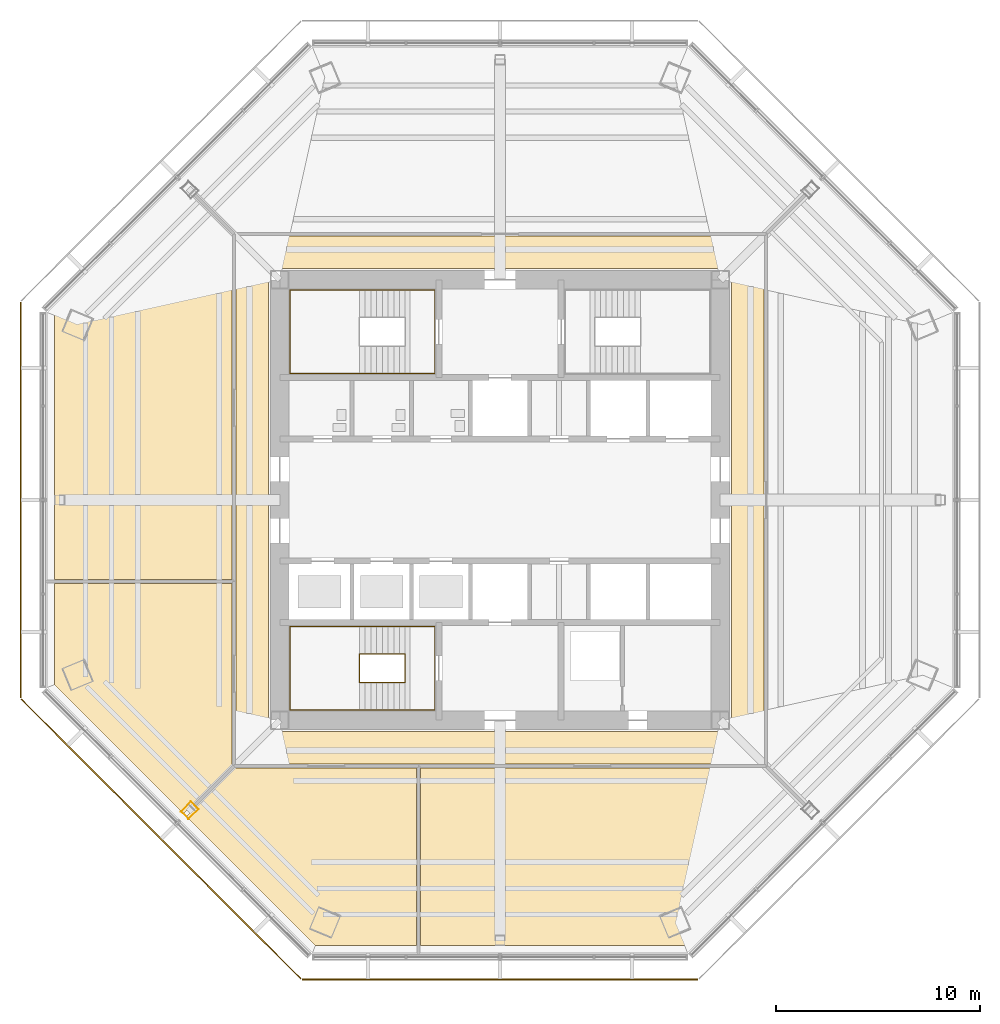
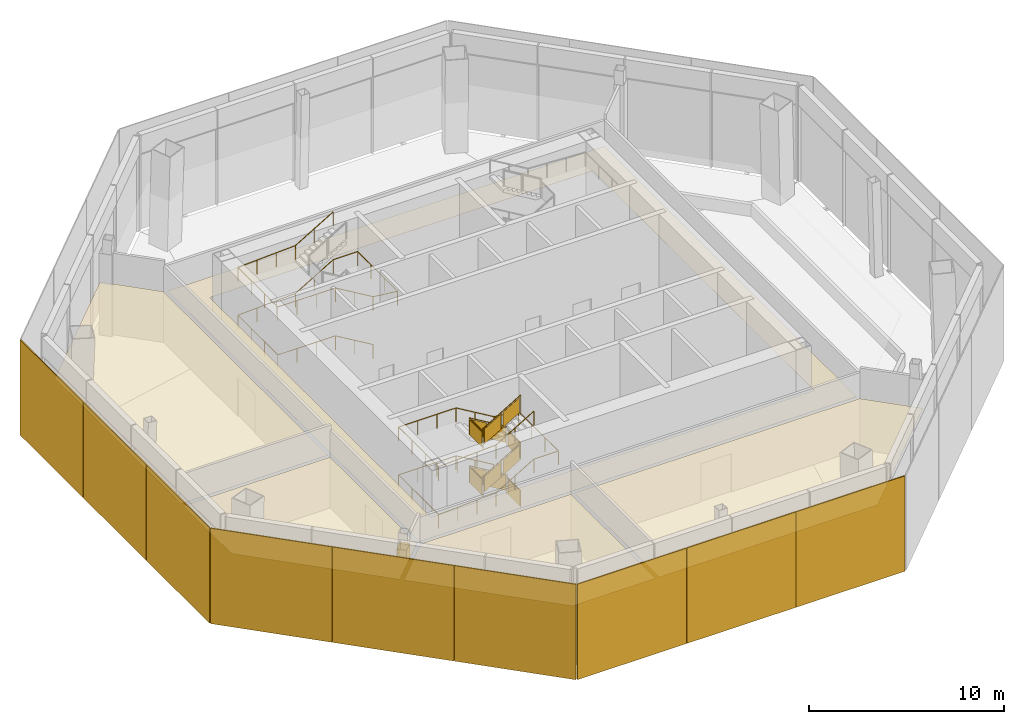
# One storey, part 9 of 13: 9 shading devices, 6 coverings, 3 railings.
"""IFC4 building model written with IfcOpenShell, lengths in metres."""

from ifc_helpers import new_model, si_unit, direction, frame, origin, origin_2d, place, context, subcontext, project, spatial, polyline, rectangle, circle, outline, extrude, source, transform, mapped, material, layer, layer_set, type_object, type_shapes, element, save


model = new_model("IFC4")

# Units and contexts
model_context = context("Model", 3, precision=1e-05, world=origin(), true_north=direction((0.0, 1.0)))
body_context = subcontext(model_context, "Body", "Model", "MODEL_VIEW")
ifc_project = project(units=[si_unit("LENGTHUNIT", "METRE"), si_unit("AREAUNIT", "SQUARE_METRE"), si_unit("VOLUMEUNIT", "CUBIC_METRE"), si_unit("PLANEANGLEUNIT", "RADIAN"), si_unit("MASSUNIT", "GRAM", prefix="KILO")], contexts=[model_context])

# Site, building, storey
site_placement = place(None, origin())
site = spatial("IfcSite", under=ifc_project, at=site_placement, CompositionType="ELEMENT")
building_placement = place(site_placement, origin())
building = spatial("IfcBuilding", under=site, at=building_placement, Name="Mashrafa Tower", CompositionType="ELEMENT")
storey_placement = place(building_placement, frame((0.0, 0.0, 198.0)))
storey = spatial("IfcBuildingStorey", under=building, at=storey_placement, Name="L45", CompositionType="ELEMENT", Elevation=198.0)

# Covering
ifc_material_1 = material(Name="Gypsum board")
ifc_layer_1 = layer(ifc_material_1, 0.014892578125)
ifc_layer_set_1 = layer_set([ifc_layer_1], Name="Column casing plasterboard 15")
covering_type_1 = type_object("IfcCoveringType", Name="Column casing plasterboard 15", PredefinedType="CLADDING", material=ifc_layer_set_1)
covering_1_placement = place(storey_placement, origin())
element("IfcCovering", 1, at=covering_1_placement, inside=storey, type_object=covering_type_1, Name="Column casing L45-003", PredefinedType="CLADDING", context=body_context, shape_type="SweptSolid", body=[
    extrude(outline(polyline([(-15.657958984375, -15.283203125), (-15.1630859375, -14.788330078125), (-14.788330078125, -15.1630859375), (-15.283203125, -15.657958984375), (-15.657958984375, -15.283203125)]), holes=[polyline([(-14.8095703125, -15.1630859375), (-15.1630859375, -14.8095703125), (-15.63671875, -15.283203125), (-15.283203125, -15.63671875), (-14.8095703125, -15.1630859375)])]), origin(), (0.0, 0.0, 1.0), 5.11181640625),
])

# Railings
ifc_material_2 = material(Name="Steel guard with glass infill", Category="steel")
railing_type_1 = type_object("IfcRailingType", Name="Stair guard 1100", PredefinedType="GUARDRAIL", material=ifc_material_2)
railing_1_placement = place(storey_placement, frame((-4.64990234375, -8.949951171875, 0.0)))
element("IfcRailing", 2, at=railing_1_placement, inside=storey, type_object=railing_type_1, Name="Stair S3 guard L45", PredefinedType="GUARDRAIL", context=body_context, shape_type="SweptSolid", body=[
    extrude(circle(Radius=0.02392578125, at=origin_2d()), frame((0.0, 0.0, 1.076171875), z_axis=(0.0, 1.0, 0.0), x_axis=(-1.0, 0.0, 0.0)), (0.0, 0.0, 1.0), 1.39990234375),
    extrude(circle(Radius=0.02392578125, at=origin_2d()), frame((0.0, 1.39990234375, 1.076171875), z_axis=(0.0, 0.0, 1.0), x_axis=(1.0, 0.0, 0.0)), (0.0, 0.0, 1.0), 0.166748046875),
    extrude(circle(Radius=0.02392578125, at=origin_2d()), frame((0.0, 1.39990234375, 1.24267578125), z_axis=(-0.859305625298, 0.0, 0.511462454469), x_axis=(0.0, -1.0, 0.0)), (0.0, 0.0, 1.0), 2.606689453125),
    extrude(circle(Radius=0.02392578125, at=origin_2d()), frame((-2.239990234375, 1.39990234375, 2.576171875), z_axis=(0.0, -1.0, 0.0), x_axis=(1.0, 0.0, 0.0)), (0.0, 0.0, 1.0), 1.39990234375),
    extrude(circle(Radius=0.02392578125, at=origin_2d()), frame((-2.239990234375, 0.0, 2.576171875), z_axis=(0.0, 0.0, 1.0), x_axis=(1.0, 0.0, 0.0)), (0.0, 0.0, 1.0), 0.166748046875),
    extrude(circle(Radius=0.02392578125, at=origin_2d()), frame((-2.239990234375, 0.0, 2.74267578125), z_axis=(0.859305625298, 0.0, 0.511462454469), x_axis=(0.0, 1.0, 0.0)), (0.0, 0.0, 1.0), 2.606689453125),
    extrude(circle(Radius=0.02392578125, at=origin_2d()), frame((0.0, 0.0, 4.076171875), z_axis=(0.0, 1.0, 0.0), x_axis=(-1.0, 0.0, 0.0)), (0.0, 0.0, 1.0), 1.39990234375),
    extrude(circle(Radius=0.02392578125, at=origin_2d()), frame((0.0, 1.39990234375, 4.076171875), z_axis=(0.0, 0.0, 1.0), x_axis=(1.0, 0.0, 0.0)), (0.0, 0.0, 1.0), 0.166748046875),
    extrude(circle(Radius=0.02392578125, at=origin_2d()), frame((0.0, 1.39990234375, 4.24267578125), z_axis=(-0.859305625298, 0.0, 0.511462454469), x_axis=(0.0, -1.0, 0.0)), (0.0, 0.0, 1.0), 2.606689453125),
    extrude(circle(Radius=0.02392578125, at=origin_2d()), frame((-2.239990234375, 1.39990234375, 5.576171875), z_axis=(0.0, -1.0, 0.0), x_axis=(1.0, 0.0, 0.0)), (0.0, 0.0, 1.0), 1.39990234375),
    extrude(circle(Radius=0.02392578125, at=origin_2d()), frame((-2.239990234375, 0.0, 5.576171875), z_axis=(0.0, 0.0, 1.0), x_axis=(1.0, 0.0, 0.0)), (0.0, 0.0, 1.0), 0.166748046875),
    extrude(circle(Radius=0.02392578125, at=origin_2d()), frame((-2.239990234375, 0.0, 5.74267578125), z_axis=(0.859305625298, 0.0, 0.511462454469), x_axis=(0.0, 1.0, 0.0)), (0.0, 0.0, 1.0), 2.606689453125),
    extrude(circle(Radius=0.02099609375, at=origin_2d()), origin(), (0.0, 0.0, 1.0), 1.052001953125),
    extrude(circle(Radius=0.02099609375, at=origin_2d()), frame((0.0, 1.39990234375, 0.0)), (0.0, 0.0, 1.0), 1.052001953125),
    extrude(circle(Radius=0.02099609375, at=origin_2d()), frame((0.0, 1.39990234375, 0.166748046875)), (0.0, 0.0, 1.0), 1.052001953125),
    extrude(circle(Radius=0.02099609375, at=origin_2d()), frame((-1.1201171875, 1.39990234375, 0.83349609375)), (0.0, 0.0, 1.0), 1.052001953125),
    extrude(circle(Radius=0.02099609375, at=origin_2d()), frame((-2.239990234375, 1.39990234375, 1.5)), (0.0, 0.0, 1.0), 1.052001953125),
    extrude(circle(Radius=0.02099609375, at=origin_2d()), frame((-2.239990234375, 0.0, 1.5)), (0.0, 0.0, 1.0), 1.052001953125),
    extrude(circle(Radius=0.02099609375, at=origin_2d()), frame((-2.239990234375, 0.0, 1.666748046875)), (0.0, 0.0, 1.0), 1.052001953125),
    extrude(circle(Radius=0.02099609375, at=origin_2d()), frame((-1.1201171875, 0.0, 2.33349609375)), (0.0, 0.0, 1.0), 1.052001953125),
    extrude(circle(Radius=0.02099609375, at=origin_2d()), frame((0.0, 0.0, 3.0)), (0.0, 0.0, 1.0), 1.052001953125),
    extrude(circle(Radius=0.02099609375, at=origin_2d()), frame((0.0, 1.39990234375, 3.0)), (0.0, 0.0, 1.0), 1.052001953125),
    extrude(circle(Radius=0.02099609375, at=origin_2d()), frame((0.0, 1.39990234375, 3.166748046875)), (0.0, 0.0, 1.0), 1.052001953125),
    extrude(circle(Radius=0.02099609375, at=origin_2d()), frame((-1.1201171875, 1.39990234375, 3.83349609375)), (0.0, 0.0, 1.0), 1.052001953125),
    extrude(circle(Radius=0.02099609375, at=origin_2d()), frame((-2.239990234375, 1.39990234375, 4.5)), (0.0, 0.0, 1.0), 1.052001953125),
    extrude(circle(Radius=0.02099609375, at=origin_2d()), frame((-2.239990234375, 0.0, 4.5)), (0.0, 0.0, 1.0), 1.052001953125),
    extrude(circle(Radius=0.02099609375, at=origin_2d()), frame((-2.239990234375, 0.0, 4.666748046875)), (0.0, 0.0, 1.0), 1.052001953125),
    extrude(circle(Radius=0.02099609375, at=origin_2d()), frame((-1.1201171875, 0.0, 5.33349609375)), (0.0, 0.0, 1.0), 1.052001953125),
    extrude(circle(Radius=0.02099609375, at=origin_2d()), frame((0.0, 0.0, 6.0)), (0.0, 0.0, 1.0), 1.052001953125),
    extrude(outline(polyline([(0.071044921875, 0.050048828125), (1.328857421875, 0.050048828125), (1.328857421875, 1.001953125), (0.071044921875, 1.001953125), (0.071044921875, 0.050048828125)])), frame((0.006103515625, 0.0, 0.0), z_axis=(1.0, 0.0, 0.0), x_axis=(0.0, 1.0, 0.0)), (0.0, 0.0, 1.0), 0.011962890625),
    extrude(outline(polyline([(0.071044921875, 0.09228515625), (1.049072265625, 0.67431640625), (1.049072265625, 1.62646484375), (0.071044921875, 1.044189453125), (0.071044921875, 0.09228515625)])), frame((0.0, 1.406005859375, 0.166748046875), z_axis=(0.0, 1.0, 0.0), x_axis=(-1.0, 0.0, 0.0)), (0.0, 0.0, 1.0), 0.011962890625),
    extrude(outline(polyline([(1.19091796875, 0.7587890625), (2.1689453125, 1.341064453125), (2.1689453125, 2.29296875), (1.19091796875, 1.7109375), (1.19091796875, 0.7587890625)])), frame((0.0, 1.406005859375, 0.166748046875), z_axis=(0.0, 1.0, 0.0), x_axis=(-1.0, 0.0, 0.0)), (0.0, 0.0, 1.0), 0.011962890625),
    extrude(outline(polyline([(0.071044921875, 0.050048828125), (1.328857421875, 0.050048828125), (1.328857421875, 1.001953125), (0.071044921875, 1.001953125), (0.071044921875, 0.050048828125)])), frame((-2.24609375, 1.39990234375, 1.5), z_axis=(-1.0, 0.0, 0.0), x_axis=(0.0, -1.0, 0.0)), (0.0, 0.0, 1.0), 0.011962890625),
    extrude(outline(polyline([(0.071044921875, 0.09228515625), (1.049072265625, 0.67431640625), (1.049072265625, 1.62646484375), (0.071044921875, 1.044189453125), (0.071044921875, 0.09228515625)])), frame((-2.239990234375, -0.006103515625, 1.666748046875), z_axis=(0.0, -1.0, 0.0), x_axis=(1.0, 0.0, 0.0)), (0.0, 0.0, 1.0), 0.011962890625),
    extrude(outline(polyline([(1.19091796875, 0.7587890625), (2.1689453125, 1.341064453125), (2.1689453125, 2.29296875), (1.19091796875, 1.7109375), (1.19091796875, 0.7587890625)])), frame((-2.239990234375, -0.006103515625, 1.666748046875), z_axis=(0.0, -1.0, 0.0), x_axis=(1.0, 0.0, 0.0)), (0.0, 0.0, 1.0), 0.011962890625),
    extrude(outline(polyline([(0.071044921875, 0.050048828125), (1.328857421875, 0.050048828125), (1.328857421875, 1.001953125), (0.071044921875, 1.001953125), (0.071044921875, 0.050048828125)])), frame((0.006103515625, 0.0, 3.0), z_axis=(1.0, 0.0, 0.0), x_axis=(0.0, 1.0, 0.0)), (0.0, 0.0, 1.0), 0.011962890625),
    extrude(outline(polyline([(0.071044921875, 0.09228515625), (1.049072265625, 0.67431640625), (1.049072265625, 1.62646484375), (0.071044921875, 1.044189453125), (0.071044921875, 0.09228515625)])), frame((0.0, 1.406005859375, 3.166748046875), z_axis=(0.0, 1.0, 0.0), x_axis=(-1.0, 0.0, 0.0)), (0.0, 0.0, 1.0), 0.011962890625),
    extrude(outline(polyline([(1.19091796875, 0.7587890625), (2.1689453125, 1.341064453125), (2.1689453125, 2.29296875), (1.19091796875, 1.7109375), (1.19091796875, 0.7587890625)])), frame((0.0, 1.406005859375, 3.166748046875), z_axis=(0.0, 1.0, 0.0), x_axis=(-1.0, 0.0, 0.0)), (0.0, 0.0, 1.0), 0.011962890625),
    extrude(outline(polyline([(0.071044921875, 0.050048828125), (1.328857421875, 0.050048828125), (1.328857421875, 1.001953125), (0.071044921875, 1.001953125), (0.071044921875, 0.050048828125)])), frame((-2.24609375, 1.39990234375, 4.5), z_axis=(-1.0, 0.0, 0.0), x_axis=(0.0, -1.0, 0.0)), (0.0, 0.0, 1.0), 0.011962890625),
    extrude(outline(polyline([(0.071044921875, 0.09228515625), (1.049072265625, 0.67431640625), (1.049072265625, 1.62646484375), (0.071044921875, 1.044189453125), (0.071044921875, 0.09228515625)])), frame((-2.239990234375, -0.006103515625, 4.666748046875), z_axis=(0.0, -1.0, 0.0), x_axis=(1.0, 0.0, 0.0)), (0.0, 0.0, 1.0), 0.011962890625),
    extrude(outline(polyline([(1.19091796875, 0.7587890625), (2.1689453125, 1.341064453125), (2.1689453125, 2.29296875), (1.19091796875, 1.7109375), (1.19091796875, 0.7587890625)])), frame((-2.239990234375, -0.006103515625, 4.666748046875), z_axis=(0.0, -1.0, 0.0), x_axis=(1.0, 0.0, 0.0)), (0.0, 0.0, 1.0), 0.011962890625),
])
ifc_material_3 = material(Name="Steel", Category="steel")
railing_type_2 = type_object("IfcRailingType", Name="Stair handrail 900", PredefinedType="HANDRAIL", material=ifc_material_3)
railing_2_placement = place(storey_placement, frame((-4.64990234375, 6.199951171875, 0.166748046875)))
element("IfcRailing", 3, at=railing_2_placement, inside=storey, type_object=railing_type_2, Name="Stair S1 handrail L45", PredefinedType="HANDRAIL", context=body_context, shape_type="SweptSolid", body=[
    extrude(circle(Radius=0.02392578125, at=origin_2d()), frame((0.0, 0.0, 0.8759765625), z_axis=(-0.859305625298, 0.0, 0.511462454469), x_axis=(0.0, -1.0, 0.0)), (0.0, 0.0, 1.0), 2.606689453125),
    extrude(circle(Radius=0.02392578125, at=origin_2d()), frame((-2.239990234375, 0.0, 2.208984375), z_axis=(-1.0, 0.0, 0.0), x_axis=(0.0, -1.0, 0.0)), (0.0, 0.0, 1.0), 3.41015625),
    extrude(circle(Radius=0.02392578125, at=origin_2d()), frame((-5.650146484375, 0.0, 2.208984375), z_axis=(0.0, 1.0, 0.0), x_axis=(-1.0, 0.0, 0.0)), (0.0, 0.0, 1.0), 4.10009765625),
    extrude(circle(Radius=0.02392578125, at=origin_2d()), frame((-5.650146484375, 4.10009765625, 2.208984375), z_axis=(0.99880665773, 0.0, 0.048839128524), x_axis=(0.0, 1.0, 0.0)), (0.0, 0.0, 1.0), 3.414306640625),
    extrude(circle(Radius=0.02392578125, at=origin_2d()), frame((-2.239990234375, 4.10009765625, 2.3759765625), z_axis=(0.859305625298, 0.0, 0.511462454469), x_axis=(0.0, 1.0, 0.0)), (0.0, 0.0, 1.0), 2.606689453125),
    extrude(circle(Radius=0.02392578125, at=origin_2d()), frame((0.0, 4.10009765625, 3.708984375), z_axis=(1.0, 0.0, 0.0), x_axis=(0.0, 1.0, 0.0)), (0.0, 0.0, 1.0), 1.449951171875),
    extrude(circle(Radius=0.02392578125, at=origin_2d()), frame((1.449951171875, 4.10009765625, 3.708984375), z_axis=(0.0, -1.0, 0.0), x_axis=(1.0, 0.0, 0.0)), (0.0, 0.0, 1.0), 4.10009765625),
    extrude(circle(Radius=0.02392578125, at=origin_2d()), frame((1.449951171875, 0.0, 3.708984375), z_axis=(-0.993452088381, 0.0, 0.114249499304), x_axis=(0.0, -1.0, 0.0)), (0.0, 0.0, 1.0), 1.45947265625),
    extrude(circle(Radius=0.02392578125, at=origin_2d()), frame((0.0, 0.0, 3.8759765625), z_axis=(-0.859305625298, 0.0, 0.511462454469), x_axis=(0.0, -1.0, 0.0)), (0.0, 0.0, 1.0), 2.606689453125),
    extrude(circle(Radius=0.02392578125, at=origin_2d()), frame((-2.239990234375, 0.0, 5.208984375), z_axis=(-1.0, 0.0, 0.0), x_axis=(0.0, -1.0, 0.0)), (0.0, 0.0, 1.0), 3.41015625),
    extrude(circle(Radius=0.02392578125, at=origin_2d()), frame((-5.650146484375, 0.0, 5.208984375), z_axis=(0.0, 1.0, 0.0), x_axis=(-1.0, 0.0, 0.0)), (0.0, 0.0, 1.0), 4.10009765625),
    extrude(circle(Radius=0.02392578125, at=origin_2d()), frame((-5.650146484375, 4.10009765625, 5.208984375), z_axis=(0.99880665773, 0.0, 0.048839128524), x_axis=(0.0, 1.0, 0.0)), (0.0, 0.0, 1.0), 3.414306640625),
    extrude(circle(Radius=0.02392578125, at=origin_2d()), frame((-2.239990234375, 4.10009765625, 5.3759765625), z_axis=(0.859305625298, 0.0, 0.511462454469), x_axis=(0.0, 1.0, 0.0)), (0.0, 0.0, 1.0), 2.606689453125),
    extrude(circle(Radius=0.02099609375, at=origin_2d()), origin(), (0.0, 0.0, 1.0), 0.851806640625),
    extrude(circle(Radius=0.02099609375, at=origin_2d()), frame((-1.1201171875, 0.0, 0.66650390625)), (0.0, 0.0, 1.0), 0.851806640625),
    extrude(circle(Radius=0.02099609375, at=origin_2d()), frame((-2.239990234375, 0.0, 1.333251953125)), (0.0, 0.0, 1.0), 0.851806640625),
    extrude(circle(Radius=0.02099609375, at=origin_2d()), frame((-3.376708984375, 0.0, 1.333251953125)), (0.0, 0.0, 1.0), 0.851806640625),
    extrude(circle(Radius=0.02099609375, at=origin_2d()), frame((-4.513427734375, 0.0, 1.333251953125)), (0.0, 0.0, 1.0), 0.851806640625),
    extrude(circle(Radius=0.02099609375, at=origin_2d()), frame((-5.650146484375, 0.0, 1.333251953125)), (0.0, 0.0, 1.0), 0.851806640625),
    extrude(circle(Radius=0.02099609375, at=origin_2d()), frame((-5.650146484375, 1.36669921875, 1.333251953125)), (0.0, 0.0, 1.0), 0.851806640625),
    extrude(circle(Radius=0.02099609375, at=origin_2d()), frame((-5.650146484375, 2.7333984375, 1.333251953125)), (0.0, 0.0, 1.0), 0.851806640625),
    extrude(circle(Radius=0.02099609375, at=origin_2d()), frame((-5.650146484375, 4.10009765625, 1.333251953125)), (0.0, 0.0, 1.0), 0.851806640625),
    extrude(circle(Radius=0.02099609375, at=origin_2d()), frame((-4.513427734375, 4.10009765625, 1.388916015625)), (0.0, 0.0, 1.0), 0.851806640625),
    extrude(circle(Radius=0.02099609375, at=origin_2d()), frame((-3.376708984375, 4.10009765625, 1.4443359375)), (0.0, 0.0, 1.0), 0.851806640625),
    extrude(circle(Radius=0.02099609375, at=origin_2d()), frame((-2.239990234375, 4.10009765625, 1.5)), (0.0, 0.0, 1.0), 0.851806640625),
    extrude(circle(Radius=0.02099609375, at=origin_2d()), frame((-1.1201171875, 4.10009765625, 2.16650390625)), (0.0, 0.0, 1.0), 0.851806640625),
    extrude(circle(Radius=0.02099609375, at=origin_2d()), frame((0.0, 4.10009765625, 2.833251953125)), (0.0, 0.0, 1.0), 0.851806640625),
    extrude(circle(Radius=0.02099609375, at=origin_2d()), frame((1.449951171875, 4.10009765625, 2.833251953125)), (0.0, 0.0, 1.0), 0.851806640625),
    extrude(circle(Radius=0.02099609375, at=origin_2d()), frame((1.449951171875, 2.7333984375, 2.833251953125)), (0.0, 0.0, 1.0), 0.851806640625),
    extrude(circle(Radius=0.02099609375, at=origin_2d()), frame((1.449951171875, 1.36669921875, 2.833251953125)), (0.0, 0.0, 1.0), 0.851806640625),
    extrude(circle(Radius=0.02099609375, at=origin_2d()), frame((1.449951171875, 0.0, 2.833251953125)), (0.0, 0.0, 1.0), 0.851806640625),
    extrude(circle(Radius=0.02099609375, at=origin_2d()), frame((0.0, 0.0, 3.0)), (0.0, 0.0, 1.0), 0.851806640625),
    extrude(circle(Radius=0.02099609375, at=origin_2d()), frame((-1.1201171875, 0.0, 3.66650390625)), (0.0, 0.0, 1.0), 0.851806640625),
    extrude(circle(Radius=0.02099609375, at=origin_2d()), frame((-2.239990234375, 0.0, 4.333251953125)), (0.0, 0.0, 1.0), 0.851806640625),
    extrude(circle(Radius=0.02099609375, at=origin_2d()), frame((-3.376708984375, 0.0, 4.333251953125)), (0.0, 0.0, 1.0), 0.851806640625),
    extrude(circle(Radius=0.02099609375, at=origin_2d()), frame((-4.513427734375, 0.0, 4.333251953125)), (0.0, 0.0, 1.0), 0.851806640625),
    extrude(circle(Radius=0.02099609375, at=origin_2d()), frame((-5.650146484375, 0.0, 4.333251953125)), (0.0, 0.0, 1.0), 0.851806640625),
    extrude(circle(Radius=0.02099609375, at=origin_2d()), frame((-5.650146484375, 1.36669921875, 4.333251953125)), (0.0, 0.0, 1.0), 0.851806640625),
    extrude(circle(Radius=0.02099609375, at=origin_2d()), frame((-5.650146484375, 2.7333984375, 4.333251953125)), (0.0, 0.0, 1.0), 0.851806640625),
    extrude(circle(Radius=0.02099609375, at=origin_2d()), frame((-5.650146484375, 4.10009765625, 4.333251953125)), (0.0, 0.0, 1.0), 0.851806640625),
    extrude(circle(Radius=0.02099609375, at=origin_2d()), frame((-4.513427734375, 4.10009765625, 4.388916015625)), (0.0, 0.0, 1.0), 0.851806640625),
    extrude(circle(Radius=0.02099609375, at=origin_2d()), frame((-3.376708984375, 4.10009765625, 4.4443359375)), (0.0, 0.0, 1.0), 0.851806640625),
    extrude(circle(Radius=0.02099609375, at=origin_2d()), frame((-2.239990234375, 4.10009765625, 4.5)), (0.0, 0.0, 1.0), 0.851806640625),
    extrude(circle(Radius=0.02099609375, at=origin_2d()), frame((-1.1201171875, 4.10009765625, 5.16650390625)), (0.0, 0.0, 1.0), 0.851806640625),
    extrude(circle(Radius=0.02099609375, at=origin_2d()), frame((0.0, 4.10009765625, 5.833251953125)), (0.0, 0.0, 1.0), 0.851806640625),
])
railing_3_placement = place(storey_placement, frame((-4.64990234375, -6.199951171875, 0.166748046875)))
element("IfcRailing", 4, at=railing_3_placement, inside=storey, type_object=railing_type_2, Name="Stair S3 handrail L45", PredefinedType="HANDRAIL", context=body_context, shape_type="SweptSolid", body=[
    extrude(circle(Radius=0.02392578125, at=origin_2d()), frame((0.0, 0.0, 0.8759765625), z_axis=(-0.859305625298, 0.0, 0.511462454469), x_axis=(0.0, -1.0, 0.0)), (0.0, 0.0, 1.0), 2.606689453125),
    extrude(circle(Radius=0.02392578125, at=origin_2d()), frame((-2.239990234375, 0.0, 2.208984375), z_axis=(-1.0, 0.0, 0.0), x_axis=(0.0, -1.0, 0.0)), (0.0, 0.0, 1.0), 3.41015625),
    extrude(circle(Radius=0.02392578125, at=origin_2d()), frame((-5.650146484375, 0.0, 2.208984375), z_axis=(0.0, -1.0, 0.0), x_axis=(1.0, 0.0, 0.0)), (0.0, 0.0, 1.0), 4.10009765625),
    extrude(circle(Radius=0.02392578125, at=origin_2d()), frame((-5.650146484375, -4.10009765625, 2.208984375), z_axis=(0.99880665773, 0.0, 0.048839128524), x_axis=(0.0, 1.0, 0.0)), (0.0, 0.0, 1.0), 3.414306640625),
    extrude(circle(Radius=0.02392578125, at=origin_2d()), frame((-2.239990234375, -4.10009765625, 2.3759765625), z_axis=(0.859305625298, 0.0, 0.511462454469), x_axis=(0.0, 1.0, 0.0)), (0.0, 0.0, 1.0), 2.606689453125),
    extrude(circle(Radius=0.02392578125, at=origin_2d()), frame((0.0, -4.10009765625, 3.708984375), z_axis=(1.0, 0.0, 0.0), x_axis=(0.0, 1.0, 0.0)), (0.0, 0.0, 1.0), 1.449951171875),
    extrude(circle(Radius=0.02392578125, at=origin_2d()), frame((1.449951171875, -4.10009765625, 3.708984375), z_axis=(0.0, 1.0, 0.0), x_axis=(-1.0, 0.0, 0.0)), (0.0, 0.0, 1.0), 4.10009765625),
    extrude(circle(Radius=0.02392578125, at=origin_2d()), frame((1.449951171875, 0.0, 3.708984375), z_axis=(-0.993452088381, 0.0, 0.114249499304), x_axis=(0.0, -1.0, 0.0)), (0.0, 0.0, 1.0), 1.45947265625),
    extrude(circle(Radius=0.02392578125, at=origin_2d()), frame((0.0, 0.0, 3.8759765625), z_axis=(-0.859305625298, 0.0, 0.511462454469), x_axis=(0.0, -1.0, 0.0)), (0.0, 0.0, 1.0), 2.606689453125),
    extrude(circle(Radius=0.02392578125, at=origin_2d()), frame((-2.239990234375, 0.0, 5.208984375), z_axis=(-1.0, 0.0, 0.0), x_axis=(0.0, -1.0, 0.0)), (0.0, 0.0, 1.0), 3.41015625),
    extrude(circle(Radius=0.02392578125, at=origin_2d()), frame((-5.650146484375, 0.0, 5.208984375), z_axis=(0.0, -1.0, 0.0), x_axis=(1.0, 0.0, 0.0)), (0.0, 0.0, 1.0), 4.10009765625),
    extrude(circle(Radius=0.02392578125, at=origin_2d()), frame((-5.650146484375, -4.10009765625, 5.208984375), z_axis=(0.99880665773, 0.0, 0.048839128524), x_axis=(0.0, 1.0, 0.0)), (0.0, 0.0, 1.0), 3.414306640625),
    extrude(circle(Radius=0.02392578125, at=origin_2d()), frame((-2.239990234375, -4.10009765625, 5.3759765625), z_axis=(0.859305625298, 0.0, 0.511462454469), x_axis=(0.0, 1.0, 0.0)), (0.0, 0.0, 1.0), 2.606689453125),
    extrude(circle(Radius=0.02099609375, at=origin_2d()), origin(), (0.0, 0.0, 1.0), 0.851806640625),
    extrude(circle(Radius=0.02099609375, at=origin_2d()), frame((-1.1201171875, 0.0, 0.66650390625)), (0.0, 0.0, 1.0), 0.851806640625),
    extrude(circle(Radius=0.02099609375, at=origin_2d()), frame((-2.239990234375, 0.0, 1.333251953125)), (0.0, 0.0, 1.0), 0.851806640625),
    extrude(circle(Radius=0.02099609375, at=origin_2d()), frame((-3.376708984375, 0.0, 1.333251953125)), (0.0, 0.0, 1.0), 0.851806640625),
    extrude(circle(Radius=0.02099609375, at=origin_2d()), frame((-4.513427734375, 0.0, 1.333251953125)), (0.0, 0.0, 1.0), 0.851806640625),
    extrude(circle(Radius=0.02099609375, at=origin_2d()), frame((-5.650146484375, 0.0, 1.333251953125)), (0.0, 0.0, 1.0), 0.851806640625),
    extrude(circle(Radius=0.02099609375, at=origin_2d()), frame((-5.650146484375, -1.36669921875, 1.333251953125)), (0.0, 0.0, 1.0), 0.851806640625),
    extrude(circle(Radius=0.02099609375, at=origin_2d()), frame((-5.650146484375, -2.7333984375, 1.333251953125)), (0.0, 0.0, 1.0), 0.851806640625),
    extrude(circle(Radius=0.02099609375, at=origin_2d()), frame((-5.650146484375, -4.10009765625, 1.333251953125)), (0.0, 0.0, 1.0), 0.851806640625),
    extrude(circle(Radius=0.02099609375, at=origin_2d()), frame((-4.513427734375, -4.10009765625, 1.388916015625)), (0.0, 0.0, 1.0), 0.851806640625),
    extrude(circle(Radius=0.02099609375, at=origin_2d()), frame((-3.376708984375, -4.10009765625, 1.4443359375)), (0.0, 0.0, 1.0), 0.851806640625),
    extrude(circle(Radius=0.02099609375, at=origin_2d()), frame((-2.239990234375, -4.10009765625, 1.5)), (0.0, 0.0, 1.0), 0.851806640625),
    extrude(circle(Radius=0.02099609375, at=origin_2d()), frame((-1.1201171875, -4.10009765625, 2.16650390625)), (0.0, 0.0, 1.0), 0.851806640625),
    extrude(circle(Radius=0.02099609375, at=origin_2d()), frame((0.0, -4.10009765625, 2.833251953125)), (0.0, 0.0, 1.0), 0.851806640625),
    extrude(circle(Radius=0.02099609375, at=origin_2d()), frame((1.449951171875, -4.10009765625, 2.833251953125)), (0.0, 0.0, 1.0), 0.851806640625),
    extrude(circle(Radius=0.02099609375, at=origin_2d()), frame((1.449951171875, -2.7333984375, 2.833251953125)), (0.0, 0.0, 1.0), 0.851806640625),
    extrude(circle(Radius=0.02099609375, at=origin_2d()), frame((1.449951171875, -1.36669921875, 2.833251953125)), (0.0, 0.0, 1.0), 0.851806640625),
    extrude(circle(Radius=0.02099609375, at=origin_2d()), frame((1.449951171875, 0.0, 2.833251953125)), (0.0, 0.0, 1.0), 0.851806640625),
    extrude(circle(Radius=0.02099609375, at=origin_2d()), frame((0.0, 0.0, 3.0)), (0.0, 0.0, 1.0), 0.851806640625),
    extrude(circle(Radius=0.02099609375, at=origin_2d()), frame((-1.1201171875, 0.0, 3.66650390625)), (0.0, 0.0, 1.0), 0.851806640625),
    extrude(circle(Radius=0.02099609375, at=origin_2d()), frame((-2.239990234375, 0.0, 4.333251953125)), (0.0, 0.0, 1.0), 0.851806640625),
    extrude(circle(Radius=0.02099609375, at=origin_2d()), frame((-3.376708984375, 0.0, 4.333251953125)), (0.0, 0.0, 1.0), 0.851806640625),
    extrude(circle(Radius=0.02099609375, at=origin_2d()), frame((-4.513427734375, 0.0, 4.333251953125)), (0.0, 0.0, 1.0), 0.851806640625),
    extrude(circle(Radius=0.02099609375, at=origin_2d()), frame((-5.650146484375, 0.0, 4.333251953125)), (0.0, 0.0, 1.0), 0.851806640625),
    extrude(circle(Radius=0.02099609375, at=origin_2d()), frame((-5.650146484375, -1.36669921875, 4.333251953125)), (0.0, 0.0, 1.0), 0.851806640625),
    extrude(circle(Radius=0.02099609375, at=origin_2d()), frame((-5.650146484375, -2.7333984375, 4.333251953125)), (0.0, 0.0, 1.0), 0.851806640625),
    extrude(circle(Radius=0.02099609375, at=origin_2d()), frame((-5.650146484375, -4.10009765625, 4.333251953125)), (0.0, 0.0, 1.0), 0.851806640625),
    extrude(circle(Radius=0.02099609375, at=origin_2d()), frame((-4.513427734375, -4.10009765625, 4.388916015625)), (0.0, 0.0, 1.0), 0.851806640625),
    extrude(circle(Radius=0.02099609375, at=origin_2d()), frame((-3.376708984375, -4.10009765625, 4.4443359375)), (0.0, 0.0, 1.0), 0.851806640625),
    extrude(circle(Radius=0.02099609375, at=origin_2d()), frame((-2.239990234375, -4.10009765625, 4.5)), (0.0, 0.0, 1.0), 0.851806640625),
    extrude(circle(Radius=0.02099609375, at=origin_2d()), frame((-1.1201171875, -4.10009765625, 5.16650390625)), (0.0, 0.0, 1.0), 0.851806640625),
    extrude(circle(Radius=0.02099609375, at=origin_2d()), frame((0.0, -4.10009765625, 5.833251953125)), (0.0, 0.0, 1.0), 0.851806640625),
])

# Coverings
ifc_material_4 = material(Name="Gypsum board on suspension grid")
ifc_layer_2 = layer(ifc_material_4, 0.012451171875)
ifc_layer_set_2 = layer_set([ifc_layer_2], Name="Suspended ceiling gypsum 12.5")
covering_type_2 = type_object("IfcCoveringType", Name="Suspended ceiling gypsum 12.5", PredefinedType="CEILING", material=ifc_layer_set_2)
covering_2_placement = place(storey_placement, frame((0.0, 0.0, 3.199951171875)))
element("IfcCovering", 5, at=covering_2_placement, inside=storey, type_object=covering_type_2, Name="Ceiling Apartment Sky Lobby L45", PredefinedType="CEILING", context=body_context, shape_type="SweptSolid", body=[
    extrude(outline(polyline([(-12.949951171875, -12.949951171875), (-12.949951171875, 12.949951171875), (12.949951171875, 12.949951171875), (12.949951171875, -12.949951171875), (-12.949951171875, -12.949951171875)]), holes=[polyline([(11.35009765625, 11.35009765625), (-11.35009765625, 11.35009765625), (-11.35009765625, -11.35009765625), (11.35009765625, -11.35009765625), (11.35009765625, 11.35009765625)])]), origin(), (0.0, 0.0, 1.0), 0.012451171875),
])
covering_3_placement = place(storey_placement, frame((0.0, 0.0, 3.199951171875)))
element("IfcCovering", 6, at=covering_3_placement, inside=storey, type_object=covering_type_2, Name="Ceiling Children's Room L45", PredefinedType="CEILING", context=body_context, shape_type="SweptSolid", body=[
    extrude(outline(polyline([(-4.10009765625, -13.14990234375), (-4.10009765625, -21.863525390625), (-9.05615234375, -21.863525390625), (-15.38916015625, -15.530517578125), (-13.008544921875, -13.14990234375), (-4.10009765625, -13.14990234375)])), origin(), (0.0, 0.0, 1.0), 0.012451171875),
])
covering_4_placement = place(storey_placement, frame((0.0, 0.0, 3.199951171875)))
element("IfcCovering", 7, at=covering_4_placement, inside=storey, type_object=covering_type_2, Name="Ceiling Residents' Lounge L45", PredefinedType="CEILING", context=body_context, shape_type="SweptSolid", body=[
    extrude(outline(polyline([(-3.89990234375, -13.14990234375), (13.008544921875, -13.14990234375), (15.38916015625, -15.530517578125), (9.05615234375, -21.863525390625), (-3.89990234375, -21.863525390625), (-3.89990234375, -13.14990234375)])), origin(), (0.0, 0.0, 1.0), 0.012451171875),
])
covering_5_placement = place(storey_placement, frame((0.0, 0.0, 3.199951171875)))
element("IfcCovering", 8, at=covering_5_placement, inside=storey, type_object=covering_type_2, Name="Ceiling Residents' Library L45", PredefinedType="CEILING", context=body_context, shape_type="SweptSolid", body=[
    extrude(outline(polyline([(-13.14990234375, -4.10009765625), (-13.14990234375, -13.008544921875), (-15.530517578125, -15.38916015625), (-21.863525390625, -9.05615234375), (-21.863525390625, -4.10009765625), (-13.14990234375, -4.10009765625)])), origin(), (0.0, 0.0, 1.0), 0.012451171875),
])
covering_6_placement = place(storey_placement, frame((0.0, 0.0, 3.199951171875)))
element("IfcCovering", 9, at=covering_6_placement, inside=storey, type_object=covering_type_2, Name="Ceiling Residents' Fitness Room L45", PredefinedType="CEILING", context=body_context, shape_type="SweptSolid", body=[
    extrude(outline(polyline([(-13.14990234375, 13.008544921875), (-13.14990234375, -3.89990234375), (-21.863525390625, -3.89990234375), (-21.863525390625, 9.05615234375), (-15.530517578125, 15.38916015625), (-13.14990234375, 13.008544921875)])), origin(), (0.0, 0.0, 1.0), 0.012451171875),
])

# Shading devices
ifc_material_5 = material(Name="Perforated aluminium plate, eight-point star pattern", Category="aluminium")
ifc_layer_3 = layer(ifc_material_5, 0.06005859375)
ifc_layer_set_3 = layer_set([ifc_layer_3], Name="Mashrabiya screen panel sky garden, 60 percent open")
shading_device_type = type_object("IfcShadingDeviceType", Name="Mashrabiya screen panel sky garden, 60 percent open", PredefinedType="SHUTTER", material=ifc_layer_set_3)
shared_shape = source(origin(), body_context, "Body", "SweptSolid", [
    extrude(rectangle(XDim=6.458251953125, YDim=0.06005859375, at=origin_2d()), origin(), (0.0, 0.0, 1.0), 5.97998046875),
])
type_shapes(shading_device_type, [shared_shape])
for number, where, z_axis, x_axis, name in (
    (10, (-23.513671875, 6.47802734375, -0.14990234375), (0.0, 0.0, 1.0), (0.0, -1.0, 0.0), "Mashrabiya screen L45 west 1"),
    (11, (-23.513671875, 0.0, -0.14990234375), (0.0, 0.0, 1.0), (0.0, -1.0, 0.0), "Mashrabiya screen L45 west 2"),
    (12, (-23.513671875, -6.47802734375, -0.14990234375), (0.0, 0.0, 1.0), (0.0, -1.0, 0.0), "Mashrabiya screen L45 west 3"),
    (13, (-21.207275390625, -12.0458984375, -0.14990234375), (0.0, 0.0, 1.0), (0.707106781187, -0.707106781187, 0.0), "Mashrabiya screen L45 south-west 1"),
    (14, (-16.626708984375, -16.626708984375, -0.14990234375), (0.0, 0.0, 1.0), (0.707106781187, -0.707106781187, 0.0), "Mashrabiya screen L45 south-west 2"),
    (15, (-12.0458984375, -21.207275390625, -0.14990234375), (0.0, 0.0, 1.0), (0.707106781187, -0.707106781187, 0.0), "Mashrabiya screen L45 south-west 3"),
    (16, (-6.47802734375, -23.513671875, -0.14990234375), (0.0, 0.0, 1.0), (1.0, 0.0, 0.0), "Mashrabiya screen L45 south 1"),
    (17, (0.0, -23.513671875, -0.14990234375), (0.0, 0.0, 1.0), (1.0, 0.0, 0.0), "Mashrabiya screen L45 south 2"),
    (18, (6.47802734375, -23.513671875, -0.14990234375), (0.0, 0.0, 1.0), (1.0, 0.0, 0.0), "Mashrabiya screen L45 south 3"),
):
    element("IfcShadingDevice", number, at=place(storey_placement, frame(where, z_axis=z_axis, x_axis=x_axis)), inside=storey, type_object=shading_device_type, Name=name, PredefinedType="SHUTTER", context=body_context, shape_type="MappedRepresentation", body=[
        mapped(shared_shape, transform((0.0, 0.0, 0.0))),
    ])

save(model, "model.ifc")
